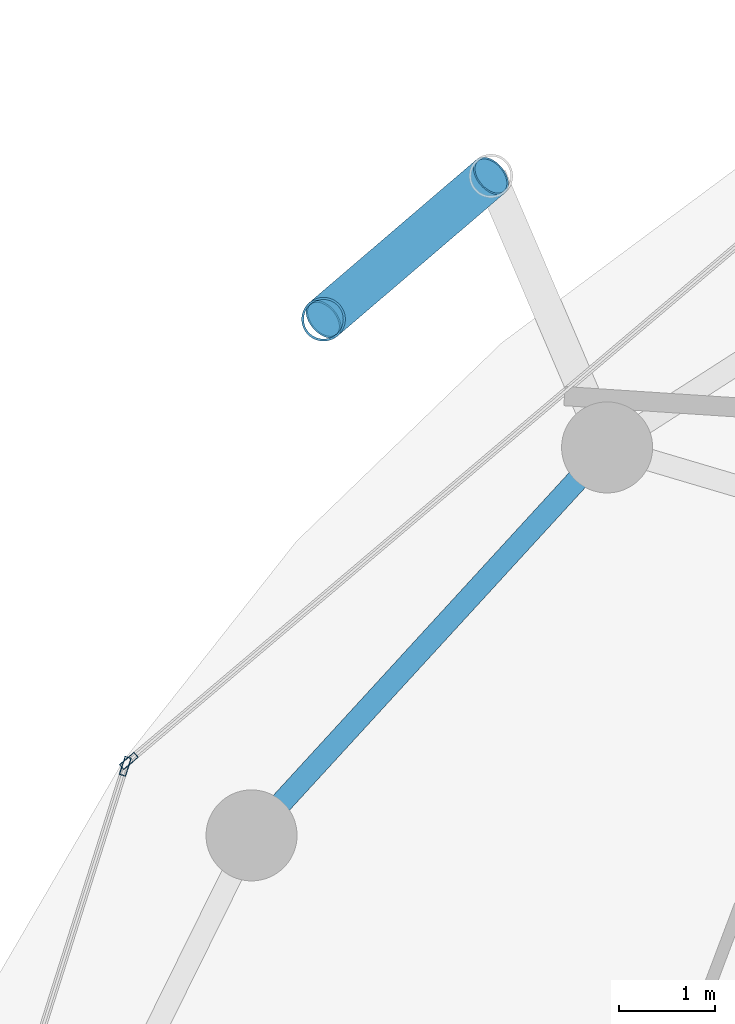
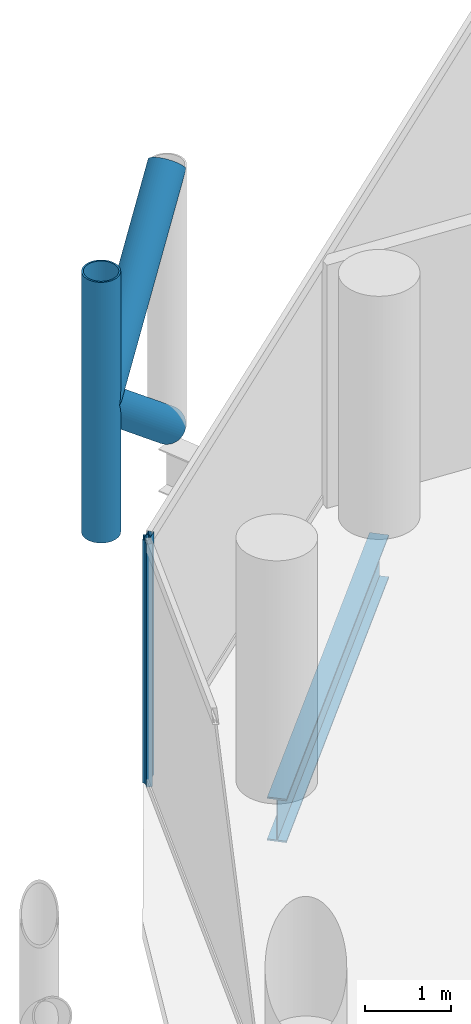
# One storey, part 13 of 26: 5 members, 1 beam, 2 elements without a shape of their own.
"""IFC4 building model written with IfcOpenShell, lengths in metres."""

from ifc_helpers import new_model, si_unit, direction, frame, origin, origin_2d, place, context, subcontext, project, spatial, hollow_rectangle, hollow_circle, i_section, extrude, material, layer, layer_set, material_profile, profile_set, type_object, element, aggregate, save


model = new_model("IFC4")

# Units and contexts
model_context = context("Model", 3, precision=1e-05, world=origin(), true_north=direction((0.0, 1.0)))
body_context = subcontext(model_context, "Body", "Model", "MODEL_VIEW")
ifc_project = project(units=[si_unit("LENGTHUNIT", "METRE"), si_unit("AREAUNIT", "SQUARE_METRE"), si_unit("VOLUMEUNIT", "CUBIC_METRE"), si_unit("PLANEANGLEUNIT", "RADIAN"), si_unit("MASSUNIT", "GRAM", prefix="KILO")], contexts=[model_context])

# Site, building, storey
site_placement = place(None, origin())
site = spatial("IfcSite", under=ifc_project, at=site_placement, CompositionType="ELEMENT")
building_placement = place(site_placement, origin())
building = spatial("IfcBuilding", under=site, at=building_placement, Name="Nuhasar Tower", CompositionType="ELEMENT")
storey_placement = place(building_placement, frame((0.0, 0.0, 162.64990234375)))
storey = spatial("IfcBuildingStorey", under=building, at=storey_placement, Name="L39", CompositionType="ELEMENT", Elevation=162.64990234375)

# Beam
ifc_material_1 = material(Name="Steel S355", Category="steel")
ifc_material_profile_1 = material_profile(ifc_material_1, i_section(OverallWidth=0.22998046875, OverallDepth=0.616943359375, WebThickness=0.01318359375, FlangeThickness=0.022216796875, at=origin_2d()), Name="W24X94")
ifc_profile_set_1 = profile_set([ifc_material_profile_1], Name="Steel S355")
beam_type = type_object("IfcBeamType", Name="BM-RING-W24X94", PredefinedType="SPANDREL", material=ifc_profile_set_1)
beam_placement = place(storey_placement, frame((22.489013671875, 40.6240234375, -0.558837890625), z_axis=(-0.675654174897, -0.737218716491, 0.0), x_axis=(0.737218716491, -0.675654174897, 0.0)))
element("IfcBeam", 1, at=beam_placement, inside=storey, type_object=beam_type, Name="L39 Perimeter Ring Spandrel 10", PredefinedType="SPANDREL", context=body_context, shape_type="SweptSolid", body=[
    extrude(i_section(OverallWidth=0.22998046875, OverallDepth=0.616943359375, WebThickness=0.01318359375, FlangeThickness=0.022216796875, at=origin_2d()), origin(), (0.0, 0.0, 1.0), 5.492431640625),
])

# Curtain wall, member
ifc_material_2 = material(Name="Aluminium 6063-T6", Category="aluminium")
ifc_layer = layer(ifc_material_2, 0.199951171875)
ifc_layer_set = layer_set([ifc_layer], Name="Aluminium 6063-T6")
curtain_wall_type = type_object("IfcCurtainWallType", Name="CW-Z2-HTL", PredefinedType="NOTDEFINED", material=ifc_layer_set)
curtain_wall_1_placement = place(storey_placement, origin())
curtain_wall_1 = element("IfcCurtainWall", 2, at=curtain_wall_1_placement, inside=storey, type_object=curtain_wall_type, Name="L39 Unitised Curtain Wall 05", PredefinedType="NOTDEFINED")
ifc_material_profile_2 = material_profile(ifc_material_2, hollow_rectangle(XDim=0.070068359375, YDim=0.199951171875, WallThickness=0.0048828125, at=origin_2d()), Name="CWM-3")
ifc_profile_set_2 = profile_set([ifc_material_profile_2], Name="Aluminium 6063-T6")
member_type_1 = type_object("IfcMemberType", Name="CW-MUL-S3", PredefinedType="MULLION", material=ifc_profile_set_2)
member_1_placement = place(storey_placement, frame((17.497802734375, 37.3525390625, 0.0), z_axis=(0.0, 0.0, 1.0), x_axis=(0.646374438324, -0.763020370292, 0.0)))
member_1 = element("IfcMember", 3, at=member_1_placement, type_object=member_type_1, Name="CW-Z2 mullion 2", PredefinedType="MULLION", context=body_context, shape_type="SweptSolid", body=[
    extrude(hollow_rectangle(XDim=0.070068359375, YDim=0.199951171875, WallThickness=0.0048828125, at=origin_2d()), origin(), (0.0, 0.0, 1.0), 3.4501953125),
])
aggregate(curtain_wall_1, [member_1])

curtain_wall_2_placement = place(storey_placement, origin())
curtain_wall_2 = element("IfcCurtainWall", 4, at=curtain_wall_2_placement, inside=storey, type_object=curtain_wall_type, Name="L39 Unitised Curtain Wall 06", PredefinedType="NOTDEFINED")
member_2_placement = place(storey_placement, frame((17.46044921875, 37.296630859375, 0.0), z_axis=(0.0, 0.0, 1.0), x_axis=(0.953433389233, -0.301603667577, 0.0)))
member_2 = element("IfcMember", 5, at=member_2_placement, type_object=member_type_1, Name="CW-Z2 mullion 1", PredefinedType="MULLION", context=body_context, shape_type="SweptSolid", body=[
    extrude(hollow_rectangle(XDim=0.070068359375, YDim=0.199951171875, WallThickness=0.0048828125, at=origin_2d()), origin(), (0.0, 0.0, 1.0), 3.4501953125),
])
aggregate(curtain_wall_2, [member_2])

# Members
ifc_material_3 = material(Name="Steel S460", Category="steel")
ifc_material_profile_3 = material_profile(ifc_material_3, hollow_circle(Radius=0.228515625, WallThickness=0.022216796875, at=origin_2d()), Name="HSS457X22.2")
ifc_profile_set_3 = profile_set([ifc_material_profile_3], Name="Steel S460")
member_type_2 = type_object("IfcMemberType", Name="EXO-BRONZE-457", PredefinedType="BRACE", material=ifc_profile_set_3)
member_3_placement = place(storey_placement, frame((19.529052734375, 41.9619140625, 0.0), z_axis=(0.0, 0.0, 1.0), x_axis=(1.0, 0.0, 0.0)))
element("IfcMember", 6, at=member_3_placement, inside=storey, type_object=member_type_2, Name="L39 Exoskeleton Chord Column EC-05B", PredefinedType="BRACE", context=body_context, shape_type="SweptSolid", body=[
    extrude(hollow_circle(Radius=0.228515625, WallThickness=0.022216796875, at=origin_2d()), origin(), (0.0, 0.0, 1.0), 3.7001953125),
])
for number, where, z_axis, x_axis, name in (
    (7, (21.277099609375, 43.45703125, 0.0), (-0.592170370358, -0.506487618445, 0.626741210415), (0.649986859795, -0.759945446788, 0.0), "L39 Bronze Diagrid Brace W1-05"),
    (8, (19.529052734375, 41.9619140625, 1.85009765625), (0.592170370358, 0.506487618445, 0.626741210415), (-0.649986859795, 0.759945446788, 0.0), "L39 Bronze Diagrid Brace W2-05"),
):
    element("IfcMember", number, at=place(storey_placement, frame(where, z_axis=z_axis, x_axis=x_axis)), inside=storey, type_object=member_type_2, Name=name, PredefinedType="BRACE", context=body_context, shape_type="SweptSolid", body=[
        extrude(hollow_circle(Radius=0.228515625, WallThickness=0.022216796875, at=origin_2d()), origin(), (0.0, 0.0, 1.0), 2.951904296875),
    ])

save(model, "model.ifc")
